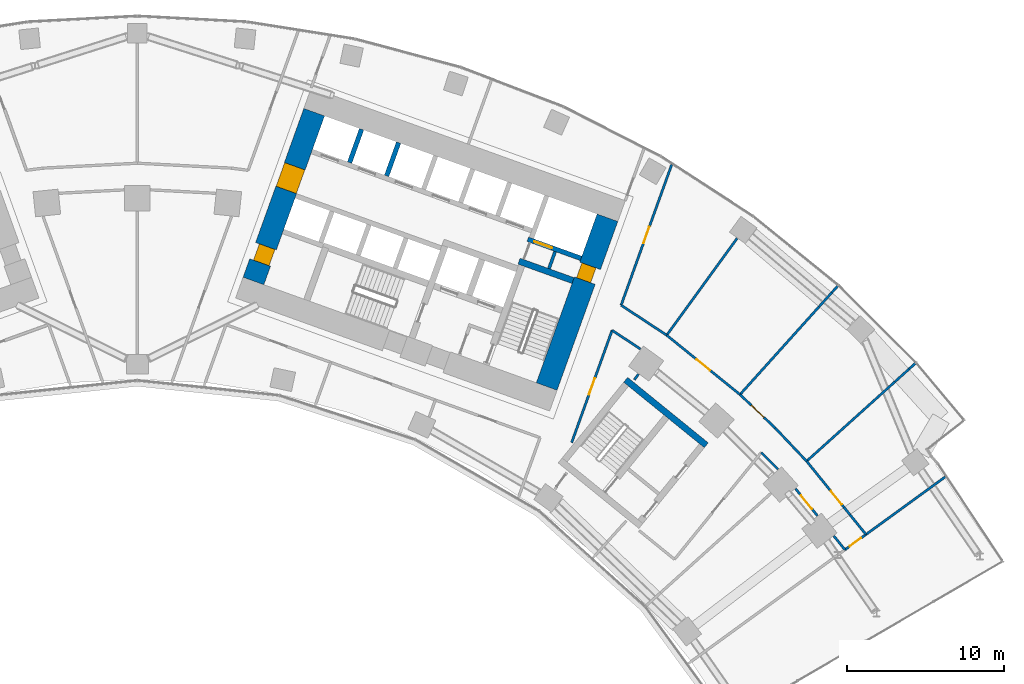
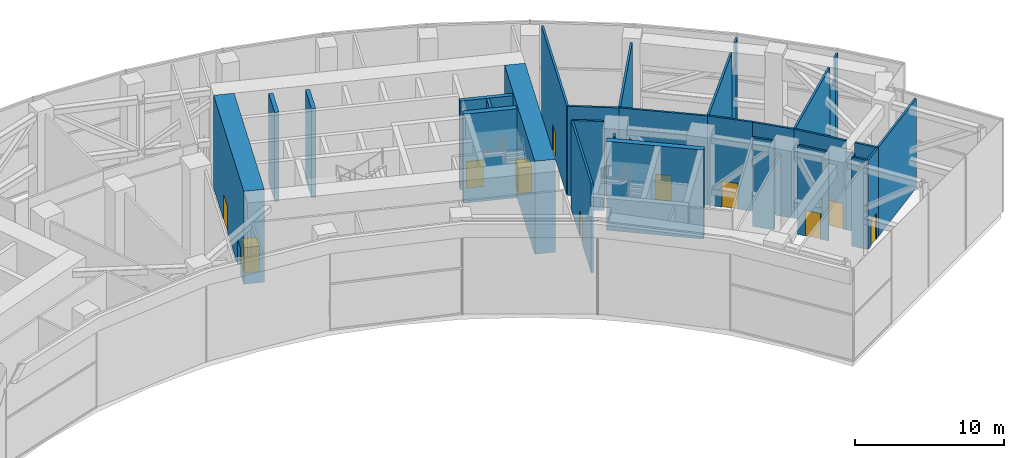
# One storey, part 28 of 33: 31 walls, 11 doors, 11 openings.
"""IFC4 building model written with IfcOpenShell, lengths in metres."""

from ifc_helpers import new_model, si_unit, direction, frame, frame_2d, origin, place, context, subcontext, project, spatial, rectangle, extrude, material, layer, layer_set, type_object, element, fill, save


model = new_model("IFC4")

# Units and contexts
model_context = context("Model", 3, precision=1e-05, world=origin(), true_north=direction((0.0, 1.0)))
body_context = subcontext(model_context, "Body", "Model", "MODEL_VIEW")
ifc_project = project(units=[si_unit("LENGTHUNIT", "METRE"), si_unit("AREAUNIT", "SQUARE_METRE"), si_unit("VOLUMEUNIT", "CUBIC_METRE"), si_unit("PLANEANGLEUNIT", "RADIAN"), si_unit("MASSUNIT", "GRAM", prefix="KILO")], contexts=[model_context])

# Site, building, storey
site_placement = place(None, origin())
site = spatial("IfcSite", under=ifc_project, at=site_placement, CompositionType="ELEMENT")
building_placement = place(site_placement, origin())
building = spatial("IfcBuilding", under=site, at=building_placement, Name="Stone Belt Terrace Tower", CompositionType="ELEMENT")
storey_placement = place(building_placement, frame((0.0, 0.0, 79.39990234375)))
storey = spatial("IfcBuildingStorey", under=building, at=storey_placement, Name="L19", CompositionType="ELEMENT", Elevation=79.39990234375)

# Wall, openings, doors
ifc_material_1 = material(Name="Concrete B80", Category="concrete")
ifc_layer_1 = layer(ifc_material_1, 1.39990234375)
ifc_layer_set_1 = layer_set([ifc_layer_1], Name="Core wall 1400 B80")
wall_type_1 = type_object("IfcWallType", Name="Core wall 1400 B80", PredefinedType="SHEAR", material=ifc_layer_set_1)
wall_1_placement = place(storey_placement, frame((7.379150390625, 49.73974609375, 0.0), z_axis=(0.0, 0.0, 1.0), x_axis=(0.338625431531, 0.940921259788, 0.0)))
wall_1 = element("IfcWall", 1, at=wall_1_placement, inside=storey, type_object=wall_type_1, Name="Core B wall end_a L19", PredefinedType="SHEAR", context=body_context, shape_type="SweptSolid", body=[
    extrude(rectangle(XDim=11.400146484375, YDim=1.39990234375, at=frame_2d((5.7001953125, 0.0))), origin(), (0.0, 0.0, 1.0), 7.60009765625),
])
opening_1_placement = place(wall_1_placement, frame((6.14990234375, 0.0, 0.0)))
opening_1 = element("IfcOpeningElement", 2, at=opening_1_placement, cuts=wall_1, Name="Opening L19-C12", PredefinedType="OPENING", context=body_context, shape_type="SweptSolid", body=[
    extrude(rectangle(XDim=1.60009765625, YDim=2.10009765625, at=frame_2d((0.800048828125, 1.050048828125))), frame((0.0, 0.7099609375, 0.0), z_axis=(0.0, -1.0, 0.0), x_axis=(1.0, 0.0, 0.0)), (0.0, 0.0, 1.0), 1.419921875),
])
opening_2_placement = place(wall_1_placement, frame((1.25, 0.0, 0.0)))
opening_2 = element("IfcOpeningElement", 3, at=opening_2_placement, cuts=wall_1, Name="Opening L19-C18", PredefinedType="OPENING", context=body_context, shape_type="SweptSolid", body=[
    extrude(rectangle(XDim=1.10009765625, YDim=2.10009765625, at=frame_2d((0.550048828125, 1.050048828125))), frame((0.0, 0.7099609375, 0.0), z_axis=(0.0, -1.0, 0.0), x_axis=(1.0, 0.0, 0.0)), (0.0, 0.0, 1.0), 1.419921875),
])
ifc_material_2 = material(Name="Timber door leaf", Category="wood")
door_type_1 = type_object("IfcDoorType", Name="Core room door 1100", OperationType="SINGLE_SWING_LEFT", PredefinedType="DOOR", material=ifc_material_2)
door_1_placement = place(opening_2_placement, origin())
door_1 = element("IfcDoor", 4, at=door_1_placement, inside=storey, type_object=door_type_1, Name="Door to Mechanical plant room core B", OperationType="SINGLE_SWING_RIGHT", OverallHeight=2.10009765625, OverallWidth=1.10009765625, PredefinedType="DOOR", context=body_context, shape_type="SweptSolid", body=[
    extrude(rectangle(XDim=1.10009765625, YDim=2.10009765625, at=frame_2d((0.550048828125, 1.050048828125))), frame((0.0, 0.44482421875, 0.0), z_axis=(0.0, -1.0, 0.0), x_axis=(1.0, 0.0, 0.0)), (0.0, 0.0, 1.0), 1.050048828125),
])
fill(opening_2, door_1)
ifc_material_3 = material(Name="Glazed aluminium door leaf", Category="aluminium")
door_type_2 = type_object("IfcDoorType", Name="Lift lobby entrance door 1600", OperationType="DOUBLE_DOOR_SINGLE_SWING", PredefinedType="DOOR", material=ifc_material_3)
door_2_placement = place(opening_1_placement, origin())
door_2 = element("IfcDoor", 5, at=door_2_placement, inside=storey, type_object=door_type_2, Name="Lift lobby entrance door core B", OperationType="DOUBLE_DOOR_SINGLE_SWING", OverallHeight=2.10009765625, OverallWidth=1.60009765625, PredefinedType="DOOR", context=body_context, shape_type="SweptSolid", body=[
    extrude(rectangle(XDim=1.60009765625, YDim=2.10009765625, at=frame_2d((0.800048828125, 1.050048828125))), frame((0.0, 0.68017578125, 0.0), z_axis=(0.0, -1.0, 0.0), x_axis=(1.0, 0.0, 0.0)), (0.0, 0.0, 1.0), 1.360107421875),
])
fill(opening_1, door_2)

# Wall, opening, door
wall_2_placement = place(storey_placement, frame((26.00927734375, 43.03515625, 0.0), z_axis=(0.0, 0.0, 1.0), x_axis=(0.338625431531, 0.940921259788, 0.0)))
wall_2 = element("IfcWall", 6, at=wall_2_placement, inside=storey, type_object=wall_type_1, Name="Core B wall end_b L19", PredefinedType="SHEAR", context=body_context, shape_type="SweptSolid", body=[
    extrude(rectangle(XDim=11.400146484375, YDim=1.39990234375, at=frame_2d((5.7001953125, 0.0))), origin(), (0.0, 0.0, 1.0), 7.60009765625),
])
opening_3_placement = place(wall_2_placement, frame((7.14990234375, 0.0, 0.0)))
opening_3 = element("IfcOpeningElement", 7, at=opening_3_placement, cuts=wall_2, Name="Opening L19-C10", PredefinedType="OPENING", context=body_context, shape_type="SweptSolid", body=[
    extrude(rectangle(XDim=1.0, YDim=2.10009765625, at=frame_2d((0.5, 1.050048828125))), frame((0.0, 0.7099609375, 0.0), z_axis=(0.0, -1.0, 0.0), x_axis=(1.0, 0.0, 0.0)), (0.0, 0.0, 1.0), 1.419921875),
])
door_type_3 = type_object("IfcDoorType", Name="Core room door 1000", OperationType="SINGLE_SWING_LEFT", PredefinedType="DOOR", material=ifc_material_2)
door_3_placement = place(opening_3_placement, origin())
door_3 = element("IfcDoor", 8, at=door_3_placement, inside=storey, type_object=door_type_3, Name="Door to Plant riser room core B", OperationType="SINGLE_SWING_LEFT", OverallHeight=2.10009765625, OverallWidth=1.0, PredefinedType="DOOR", context=body_context, shape_type="SweptSolid", body=[
    extrude(rectangle(XDim=1.0, YDim=2.10009765625, at=frame_2d((0.5, 1.050048828125))), frame((0.0, 0.55517578125, 0.0), z_axis=(0.0, -1.0, 0.0), x_axis=(1.0, 0.0, 0.0)), (0.0, 0.0, 1.0), 0.949951171875),
])
fill(opening_3, door_3)

ifc_layer_2 = layer(ifc_material_1, 0.300048828125)
ifc_layer_set_2 = layer_set([ifc_layer_2], Name="Lift shaft wall 300")
wall_type_2 = type_object("IfcWallType", Name="Lift shaft wall 300", PredefinedType="SHEAR", material=ifc_layer_set_2)
wall_3_placement = place(storey_placement, frame((28.195068359375, 51.17578125, 0.0), z_axis=(0.0, 0.0, 1.0), x_axis=(-0.940901243567, 0.338681044427, 0.0)))
wall_3 = element("IfcWall", 9, at=wall_3_placement, inside=storey, type_object=wall_type_2, Name="Core B wall", PredefinedType="SHEAR", context=body_context, shape_type="SweptSolid", body=[
    extrude(rectangle(XDim=3.599853515625, YDim=0.300048828125, at=frame_2d((1.7998046875, 0.0))), origin(), (0.0, 0.0, 1.0), 7.280029296875),
])
opening_4_placement = place(wall_3_placement, frame((1.969970703125, 0.0, 0.0)))
opening_4 = element("IfcOpeningElement", 10, at=opening_4_placement, cuts=wall_3, Name="Opening L19-LD18", PredefinedType="OPENING", context=body_context, shape_type="SweptSolid", body=[
    extrude(rectangle(XDim=1.199951171875, YDim=2.199951171875, at=frame_2d((0.60009765625, 1.10009765625))), frame((0.0, 0.159912109375, 0.0), z_axis=(0.0, -1.0, 0.0), x_axis=(1.0, 0.0, 0.0)), (0.0, 0.0, 1.0), 0.320068359375),
])
ifc_material_4 = material(Name="Stainless steel door leaf", Category="steel")
door_type_4 = type_object("IfcDoorType", Name="Landing door 1200", OperationType="SLIDING_TO_LEFT", PredefinedType="DOOR", material=ifc_material_4)
door_4_placement = place(opening_4_placement, origin())
door_4 = element("IfcDoor", 11, at=door_4_placement, inside=storey, type_object=door_type_4, Name="Landing door SV1 core B", OperationType="SLIDING_TO_LEFT", OverallHeight=2.199951171875, OverallWidth=1.199951171875, PredefinedType="DOOR", context=body_context, shape_type="SweptSolid", body=[
    extrude(rectangle(XDim=1.199951171875, YDim=2.199951171875, at=frame_2d((0.60009765625, 1.10009765625))), frame((0.0, 0.02490234375, 0.0), z_axis=(0.0, -1.0, 0.0), x_axis=(1.0, 0.0, 0.0)), (0.0, 0.0, 1.0), 0.050048828125),
])
fill(opening_4, door_4)

# Walls
wall_4_placement = place(storey_placement, frame((15.8408203125, 56.419189453125, 0.0), z_axis=(0.0, 0.0, 1.0), x_axis=(0.338569601369, 0.940941350472, 0.0)))
element("IfcWall", 12, at=wall_4_placement, inside=storey, type_object=wall_type_2, Name="Core B wall", PredefinedType="SHEAR", context=body_context, shape_type="SweptSolid", body=[
    extrude(rectangle(XDim=2.249755859375, YDim=0.300048828125, at=frame_2d((1.125, 0.0))), origin(), (0.0, 0.0, 1.0), 7.280029296875),
])
wall_5_placement = place(storey_placement, frame((13.48828125, 57.265625, 0.0), z_axis=(0.0, 0.0, 1.0), x_axis=(0.338631098537, 0.940919220286, 0.0)))
element("IfcWall", 13, at=wall_5_placement, inside=storey, type_object=wall_type_2, Name="Core B wall", PredefinedType="SHEAR", context=body_context, shape_type="SweptSolid", body=[
    extrude(rectangle(XDim=2.250244140625, YDim=0.300048828125, at=frame_2d((1.125, 0.0))), origin(), (0.0, 0.0, 1.0), 7.280029296875),
])

# Wall, opening, door
ifc_material_5 = material(Name="Gypsum board partition")
ifc_layer_3 = layer(ifc_material_5, 0.14990234375)
ifc_layer_set_3 = layer_set([ifc_layer_3], Name="PARTITION 150 EI 60")
wall_type_3 = type_object("IfcWallType", Name="PARTITION 150 EI 60", PredefinedType="PARTITIONING", material=ifc_layer_set_3)
wall_6_placement = place(storey_placement, frame((30.1669921875, 46.612060546875, 0.0), z_axis=(0.0, 0.0, 1.0), x_axis=(-0.338694393991, -0.940896438233, 0.0)))
wall_6 = element("IfcWall", 14, at=wall_6_placement, inside=storey, type_object=wall_type_3, Name="L19/wall/i022", PredefinedType="PARTITIONING", context=body_context, shape_type="SweptSolid", body=[
    extrude(rectangle(XDim=7.585205078125, YDim=0.14990234375, at=frame_2d((3.79248046875, 0.0))), origin(), (0.0, 0.0, 1.0), 7.280029296875),
])
opening_5_placement = place(wall_6_placement, frame((3.24267578125, 0.0, 0.0)))
opening_5 = element("IfcOpeningElement", 15, at=opening_5_placement, cuts=wall_6, Name="Opening D-T1-21", PredefinedType="OPENING", context=body_context, shape_type="SweptSolid", body=[
    extrude(rectangle(XDim=1.10009765625, YDim=2.10009765625, at=frame_2d((0.550048828125, 1.050048828125))), frame((0.0, 0.0849609375, 0.0), z_axis=(0.0, -1.0, 0.0), x_axis=(1.0, 0.0, 0.0)), (0.0, 0.0, 1.0), 0.169921875),
])
ifc_material_6 = material(Name="Steel fire door set", Category="steel")
door_type_5 = type_object("IfcDoorType", Name="SERVICE ROOM DOOR 1100 X 2100", OperationType="NOTDEFINED", PredefinedType="DOOR", material=ifc_material_6)
door_5_placement = place(opening_5_placement, origin())
door_5 = element("IfcDoor", 16, at=door_5_placement, inside=storey, type_object=door_type_5, Name="L19/door/i21", OperationType="SINGLE_SWING_RIGHT", OverallHeight=2.10009765625, OverallWidth=1.10009765625, PredefinedType="DOOR", context=body_context, shape_type="SweptSolid", body=[
    extrude(rectangle(XDim=1.10009765625, YDim=2.10009765625, at=frame_2d((0.550048828125, 1.050048828125))), frame((0.0, 0.02490234375, 0.0), z_axis=(0.0, -1.0, 0.0), x_axis=(1.0, 0.0, 0.0)), (0.0, 0.0, 1.0), 0.050048828125),
])
fill(opening_5, door_5)

wall_7_placement = place(storey_placement, frame((33.951904296875, 57.131103515625, 0.0), z_axis=(0.0, 0.0, 1.0), x_axis=(-0.338586530295, -0.940935258933, 0.0)))
wall_7 = element("IfcWall", 17, at=wall_7_placement, inside=storey, type_object=wall_type_3, Name="L19/wall/i024", PredefinedType="PARTITIONING", context=body_context, shape_type="SweptSolid", body=[
    extrude(rectangle(XDim=9.494873046875, YDim=0.14990234375, at=frame_2d((4.74755859375, 0.0))), origin(), (0.0, 0.0, 1.0), 7.280029296875),
])
opening_6_placement = place(wall_7_placement, frame((4.197509765625, 0.0, 0.0)))
opening_6 = element("IfcOpeningElement", 18, at=opening_6_placement, cuts=wall_7, Name="Opening D-T1-25", PredefinedType="OPENING", context=body_context, shape_type="SweptSolid", body=[
    extrude(rectangle(XDim=1.10009765625, YDim=2.10009765625, at=frame_2d((0.550048828125, 1.050048828125))), frame((0.0, 0.0849609375, 0.0), z_axis=(0.0, -1.0, 0.0), x_axis=(1.0, 0.0, 0.0)), (0.0, 0.0, 1.0), 0.169921875),
])
door_6_placement = place(opening_6_placement, origin())
door_6 = element("IfcDoor", 19, at=door_6_placement, inside=storey, type_object=door_type_5, Name="L19/door/i25", OperationType="SINGLE_SWING_LEFT", OverallHeight=2.10009765625, OverallWidth=1.10009765625, PredefinedType="DOOR", context=body_context, shape_type="SweptSolid", body=[
    extrude(rectangle(XDim=1.10009765625, YDim=2.10009765625, at=frame_2d((0.550048828125, 1.050048828125))), frame((0.0, 0.02490234375, 0.0), z_axis=(0.0, -1.0, 0.0), x_axis=(1.0, 0.0, 0.0)), (0.0, 0.0, 1.0), 0.050048828125),
])
fill(opening_6, door_6)

wall_8_placement = place(storey_placement, frame((46.301025390625, 33.638916015625, 0.0), z_axis=(0.0, 0.0, 1.0), x_axis=(-0.809402677134, -0.587254038937, 0.0)))
wall_8 = element("IfcWall", 20, at=wall_8_placement, inside=storey, type_object=wall_type_3, Name="L19/wall/i055", PredefinedType="PARTITIONING", context=body_context, shape_type="SweptSolid", body=[
    extrude(rectangle(XDim=1.66162109375, YDim=0.14990234375, at=frame_2d((0.830810546875, 0.0))), origin(), (0.0, 0.0, 1.0), 7.280029296875),
])
opening_7_placement = place(wall_8_placement, frame((0.380859375, 0.0, 0.0)))
opening_7 = element("IfcOpeningElement", 21, at=opening_7_placement, cuts=wall_8, Name="Opening D-T1-20", PredefinedType="OPENING", context=body_context, shape_type="SweptSolid", body=[
    extrude(rectangle(XDim=0.89990234375, YDim=2.10009765625, at=frame_2d((0.449951171875, 1.050048828125))), frame((0.0, 0.0849609375, 0.0), z_axis=(0.0, -1.0, 0.0), x_axis=(1.0, 0.0, 0.0)), (0.0, 0.0, 1.0), 0.169921875),
])
door_type_6 = type_object("IfcDoorType", Name="SERVICE ROOM DOOR 900 X 2100", OperationType="NOTDEFINED", PredefinedType="DOOR", material=ifc_material_6)
door_7_placement = place(opening_7_placement, origin())
door_7 = element("IfcDoor", 22, at=door_7_placement, inside=storey, type_object=door_type_6, Name="L19/door/i20", OperationType="SINGLE_SWING_RIGHT", OverallHeight=2.10009765625, OverallWidth=0.89990234375, PredefinedType="DOOR", context=body_context, shape_type="SweptSolid", body=[
    extrude(rectangle(XDim=0.89990234375, YDim=2.10009765625, at=frame_2d((0.449951171875, 1.050048828125))), frame((0.0, 0.02490234375, 0.0), z_axis=(0.0, -1.0, 0.0), x_axis=(1.0, 0.0, 0.0)), (0.0, 0.0, 1.0), 0.050048828125),
])
fill(opening_7, door_7)

# Walls
wall_9_placement = place(storey_placement, frame((46.291015625, 33.632080078125, 0.0), z_axis=(0.0, 0.0, 1.0), x_axis=(0.808990100613, 0.587822266599, 0.0)))
element("IfcWall", 23, at=wall_9_placement, inside=storey, type_object=wall_type_3, Name="L19/wall/i057", PredefinedType="PARTITIONING", context=body_context, shape_type="SweptSolid", body=[
    extrude(rectangle(XDim=6.232421875, YDim=0.14990234375, at=frame_2d((3.1162109375, 0.0))), origin(), (0.0, 0.0, 1.0), 7.280029296875),
])
wall_10_placement = place(storey_placement, frame((31.580078125, 43.466064453125, 0.0), z_axis=(0.0, 0.0, 1.0), x_axis=(0.587581605803, 0.809164913057, 0.0)))
element("IfcWall", 24, at=wall_10_placement, inside=storey, type_object=wall_type_3, Name="L19/wall/i058", PredefinedType="PARTITIONING", context=body_context, shape_type="SweptSolid", body=[
    extrude(rectangle(XDim=0.44287109375, YDim=0.14990234375, at=frame_2d((0.221435546875, 0.0))), origin(), (0.0, 0.0, 1.0), 7.280029296875),
])
wall_11_placement = place(storey_placement, frame((31.9716796875, 45.41748046875, 0.0), z_axis=(0.0, 0.0, 1.0), x_axis=(-0.835438908004, 0.549583324887, 0.0)))
element("IfcWall", 25, at=wall_11_placement, inside=storey, type_object=wall_type_3, Name="L19/wall/i059", PredefinedType="PARTITIONING", context=body_context, shape_type="SweptSolid", body=[
    extrude(rectangle(XDim=2.16259765625, YDim=0.14990234375, at=frame_2d((1.081298828125, 0.0))), origin(), (0.0, 0.0, 1.0), 7.280029296875),
])
wall_12_placement = place(storey_placement, frame((30.739013671875, 48.202880859375, 0.0), z_axis=(0.0, 0.0, 1.0), x_axis=(0.835274160171, -0.549833681535, 0.0)))
element("IfcWall", 26, at=wall_12_placement, inside=storey, type_object=wall_type_3, Name="L19/wall/i060", PredefinedType="PARTITIONING", context=body_context, shape_type="SweptSolid", body=[
    extrude(rectangle(XDim=3.46826171875, YDim=0.14990234375, at=frame_2d((1.734130859375, 0.0))), origin(), (0.0, 0.0, 1.0), 7.280029296875),
])

# Wall, opening, door
wall_13_placement = place(storey_placement, frame((33.635986328125, 46.2958984375, 0.0), z_axis=(0.0, 0.0, 1.0), x_axis=(0.77714422733, -0.629322532513, 0.0)))
wall_13 = element("IfcWall", 27, at=wall_13_placement, inside=storey, type_object=wall_type_3, Name="L19/wall/i061", PredefinedType="PARTITIONING", context=body_context, shape_type="SweptSolid", body=[
    extrude(rectangle(XDim=5.98876953125, YDim=0.14990234375, at=frame_2d((2.994384765625, 0.0))), origin(), (0.0, 0.0, 1.0), 7.280029296875),
])
opening_8_placement = place(wall_13_placement, frame((2.4443359375, 0.0, 0.0)))
opening_8 = element("IfcOpeningElement", 28, at=opening_8_placement, cuts=wall_13, Name="Opening D-T1-26", PredefinedType="OPENING", context=body_context, shape_type="SweptSolid", body=[
    extrude(rectangle(XDim=1.10009765625, YDim=2.10009765625, at=frame_2d((0.550048828125, 1.050048828125))), frame((0.0, 0.0849609375, 0.0), z_axis=(0.0, -1.0, 0.0), x_axis=(1.0, 0.0, 0.0)), (0.0, 0.0, 1.0), 0.169921875),
])
door_8_placement = place(opening_8_placement, origin())
door_8 = element("IfcDoor", 29, at=door_8_placement, inside=storey, type_object=door_type_5, Name="L19/door/i26", OperationType="SINGLE_SWING_LEFT", OverallHeight=2.10009765625, OverallWidth=1.10009765625, PredefinedType="DOOR", context=body_context, shape_type="SweptSolid", body=[
    extrude(rectangle(XDim=1.10009765625, YDim=2.10009765625, at=frame_2d((0.550048828125, 1.050048828125))), frame((0.0, 0.02490234375, 0.0), z_axis=(0.0, -1.0, 0.0), x_axis=(1.0, 0.0, 0.0)), (0.0, 0.0, 1.0), 0.050048828125),
])
fill(opening_8, door_8)

wall_14_placement = place(storey_placement, frame((38.291015625, 42.52587890625, 0.0), z_axis=(0.0, 0.0, 1.0), x_axis=(0.724835843729, -0.688921620829, 0.0)))
wall_14 = element("IfcWall", 30, at=wall_14_placement, inside=storey, type_object=wall_type_3, Name="L19/wall/i062", PredefinedType="PARTITIONING", context=body_context, shape_type="SweptSolid", body=[
    extrude(rectangle(XDim=3.093017578125, YDim=0.14990234375, at=frame_2d((1.54638671875, 0.0))), origin(), (0.0, 0.0, 1.0), 7.280029296875),
])
opening_9_placement = place(wall_14_placement, frame((0.99658203125, 0.0, 0.0)))
opening_9 = element("IfcOpeningElement", 31, at=opening_9_placement, cuts=wall_14, Name="Opening D-T1-27", PredefinedType="OPENING", context=body_context, shape_type="SweptSolid", body=[
    extrude(rectangle(XDim=1.10009765625, YDim=2.10009765625, at=frame_2d((0.550048828125, 1.050048828125))), frame((0.0, 0.0849609375, 0.0), z_axis=(0.0, -1.0, 0.0), x_axis=(1.0, 0.0, 0.0)), (0.0, 0.0, 1.0), 0.169921875),
])
door_9_placement = place(opening_9_placement, origin())
door_9 = element("IfcDoor", 32, at=door_9_placement, inside=storey, type_object=door_type_5, Name="L19/door/i27", OperationType="SINGLE_SWING_RIGHT", OverallHeight=2.10009765625, OverallWidth=1.10009765625, PredefinedType="DOOR", context=body_context, shape_type="SweptSolid", body=[
    extrude(rectangle(XDim=1.10009765625, YDim=2.10009765625, at=frame_2d((0.550048828125, 1.050048828125))), frame((0.0, 0.02490234375, 0.0), z_axis=(0.0, -1.0, 0.0), x_axis=(1.0, 0.0, 0.0)), (0.0, 0.0, 1.0), 0.050048828125),
])
fill(opening_9, door_9)

# Walls
wall_15_placement = place(storey_placement, frame((40.71240234375, 37.7744140625, 0.0), z_axis=(0.0, 0.0, 1.0), x_axis=(-0.707026065842, 0.707187487318, 0.0)))
element("IfcWall", 33, at=wall_15_placement, inside=storey, type_object=wall_type_3, Name="L19/wall/i063", PredefinedType="PARTITIONING", context=body_context, shape_type="SweptSolid", body=[
    extrude(rectangle(XDim=1.512451171875, YDim=0.14990234375, at=frame_2d((0.75634765625, 0.0))), origin(), (0.0, 0.0, 1.0), 7.280029296875),
])
wall_16_placement = place(storey_placement, frame((44.9599609375, 32.6669921875, 0.0), z_axis=(0.0, 0.0, 1.0), x_axis=(-0.629204500444, 0.777239793514, 0.0)))
element("IfcWall", 34, at=wall_16_placement, inside=storey, type_object=wall_type_3, Name="L19/wall/i064", PredefinedType="PARTITIONING", context=body_context, shape_type="SweptSolid", body=[
    extrude(rectangle(XDim=1.119873046875, YDim=0.14990234375, at=frame_2d((0.56005859375, 0.0))), origin(), (0.0, 0.0, 1.0), 7.280029296875),
])

# Wall, opening, door
wall_17_placement = place(storey_placement, frame((43.210693359375, 34.827880859375, 0.0), z_axis=(0.0, 0.0, 1.0), x_axis=(-0.629182298449, 0.777257766329, 0.0)))
wall_17 = element("IfcWall", 35, at=wall_17_placement, inside=storey, type_object=wall_type_3, Name="L19/wall/i065", PredefinedType="PARTITIONING", context=body_context, shape_type="SweptSolid", body=[
    extrude(rectangle(XDim=2.204345703125, YDim=0.14990234375, at=frame_2d((1.10205078125, 0.0))), origin(), (0.0, 0.0, 1.0), 7.280029296875),
])
opening_10_placement = place(wall_17_placement, frame((0.55224609375, 0.0, 0.0)))
opening_10 = element("IfcOpeningElement", 36, at=opening_10_placement, cuts=wall_17, Name="Opening D-T1-24", PredefinedType="OPENING", context=body_context, shape_type="SweptSolid", body=[
    extrude(rectangle(XDim=1.10009765625, YDim=2.10009765625, at=frame_2d((0.550048828125, 1.050048828125))), frame((0.0, 0.0849609375, 0.0), z_axis=(0.0, -1.0, 0.0), x_axis=(1.0, 0.0, 0.0)), (0.0, 0.0, 1.0), 0.169921875),
])
door_10_placement = place(opening_10_placement, origin())
door_10 = element("IfcDoor", 37, at=door_10_placement, inside=storey, type_object=door_type_5, Name="L19/door/i24", OperationType="SINGLE_SWING_RIGHT", OverallHeight=2.10009765625, OverallWidth=1.10009765625, PredefinedType="DOOR", context=body_context, shape_type="SweptSolid", body=[
    extrude(rectangle(XDim=1.10009765625, YDim=2.10009765625, at=frame_2d((0.550048828125, 1.050048828125))), frame((0.0, 0.02490234375, 0.0), z_axis=(0.0, -1.0, 0.0), x_axis=(1.0, 0.0, 0.0)), (0.0, 0.0, 1.0), 0.050048828125),
])
fill(opening_10, door_10)

# Wall
wall_18_placement = place(storey_placement, frame((40.532958984375, 40.39501953125, 0.0), z_axis=(0.0, 0.0, 1.0), x_axis=(0.687681554755, -0.726012451167, 0.0)))
element("IfcWall", 38, at=wall_18_placement, inside=storey, type_object=wall_type_3, Name="L19/wall/i066", PredefinedType="PARTITIONING", context=body_context, shape_type="SweptSolid", body=[
    extrude(rectangle(XDim=2.89794921875, YDim=0.14990234375, at=frame_2d((1.448974609375, 0.0))), origin(), (0.0, 0.0, 1.0), 7.280029296875),
])

# Wall, opening, door
wall_19_placement = place(storey_placement, frame((42.527099609375, 38.2900390625, 0.0), z_axis=(0.0, 0.0, 1.0), x_axis=(0.629330569848, -0.777137718718, 0.0)))
wall_19 = element("IfcWall", 39, at=wall_19_placement, inside=storey, type_object=wall_type_3, Name="L19/wall/i067-1", PredefinedType="PARTITIONING", context=body_context, shape_type="SweptSolid", body=[
    extrude(rectangle(XDim=3.767578125, YDim=0.14990234375, at=frame_2d((1.8837890625, 0.0))), origin(), (0.0, 0.0, 1.0), 7.280029296875),
])
opening_11_placement = place(wall_19_placement, frame((2.4443359375, 0.0, 0.0)))
opening_11 = element("IfcOpeningElement", 40, at=opening_11_placement, cuts=wall_19, Name="Opening D-T1-28", PredefinedType="OPENING", context=body_context, shape_type="SweptSolid", body=[
    extrude(rectangle(XDim=1.10009765625, YDim=2.10009765625, at=frame_2d((0.550048828125, 1.050048828125))), frame((0.0, 0.0849609375, 0.0), z_axis=(0.0, -1.0, 0.0), x_axis=(1.0, 0.0, 0.0)), (0.0, 0.0, 1.0), 0.169921875),
])
door_11_placement = place(opening_11_placement, origin())
door_11 = element("IfcDoor", 41, at=door_11_placement, inside=storey, type_object=door_type_5, Name="L19/door/i28", OperationType="SINGLE_SWING_LEFT", OverallHeight=2.10009765625, OverallWidth=1.10009765625, PredefinedType="DOOR", context=body_context, shape_type="SweptSolid", body=[
    extrude(rectangle(XDim=1.10009765625, YDim=2.10009765625, at=frame_2d((0.550048828125, 1.050048828125))), frame((0.0, 0.02490234375, 0.0), z_axis=(0.0, -1.0, 0.0), x_axis=(1.0, 0.0, 0.0)), (0.0, 0.0, 1.0), 0.050048828125),
])
fill(opening_11, door_11)

# Walls
wall_20_placement = place(storey_placement, frame((44.898193359375, 35.362060546875, 0.0), z_axis=(0.0, 0.0, 1.0), x_axis=(0.629416909266, -0.777067792622, 0.0)))
element("IfcWall", 42, at=wall_20_placement, inside=storey, type_object=wall_type_3, Name="L19/wall/i067-2", PredefinedType="PARTITIONING", context=body_context, shape_type="SweptSolid", body=[
    extrude(rectangle(XDim=0.610107421875, YDim=0.14990234375, at=frame_2d((0.30517578125, 0.0))), origin(), (0.0, 0.0, 1.0), 6.380126953125),
])
wall_21_placement = place(storey_placement, frame((45.2822265625, 34.887939453125, 0.0), z_axis=(0.0, 0.0, 1.0), x_axis=(0.629267984244, -0.777188396726, 0.0)))
element("IfcWall", 43, at=wall_21_placement, inside=storey, type_object=wall_type_3, Name="L19/wall/i067-3", PredefinedType="PARTITIONING", context=body_context, shape_type="SweptSolid", body=[
    extrude(rectangle(XDim=1.61083984375, YDim=0.14990234375, at=frame_2d((0.805419921875, 0.0))), origin(), (0.0, 0.0, 1.0), 7.280029296875),
])
wall_22_placement = place(storey_placement, frame((38.1083984375, 52.45166015625, 0.0), z_axis=(0.0, 0.0, 1.0), x_axis=(-0.587784342943, -0.809017655055, 0.0)))
element("IfcWall", 44, at=wall_22_placement, inside=storey, type_object=wall_type_3, Name="L19/wall/i072", PredefinedType="PARTITIONING", context=body_context, shape_type="SweptSolid", body=[
    extrude(rectangle(XDim=7.60888671875, YDim=0.14990234375, at=frame_2d((3.804443359375, 0.0))), origin(), (0.0, 0.0, 1.0), 7.280029296875),
])
wall_23_placement = place(storey_placement, frame((44.496826171875, 49.41943359375, 0.0), z_axis=(0.0, 0.0, 1.0), x_axis=(-0.669012701712, -0.743250970364, 0.0)))
element("IfcWall", 45, at=wall_23_placement, inside=storey, type_object=wall_type_3, Name="L19/wall/i073-1", PredefinedType="PARTITIONING", context=body_context, shape_type="SweptSolid", body=[
    extrude(rectangle(XDim=0.562255859375, YDim=0.14990234375, at=frame_2d((0.28125, 0.0))), origin(), (0.0, 0.0, 1.0), 7.280029296875),
])
wall_24_placement = place(storey_placement, frame((44.12060546875, 49.00146484375, 0.0), z_axis=(0.0, 0.0, 1.0), x_axis=(-0.668953538706, -0.743304219719, 0.0)))
element("IfcWall", 46, at=wall_24_placement, inside=storey, type_object=wall_type_3, Name="L19/wall/i073-2", PredefinedType="PARTITIONING", context=body_context, shape_type="SweptSolid", body=[
    extrude(rectangle(XDim=1.205078125, YDim=0.14990234375, at=frame_2d((0.6025390625, 0.0))), origin(), (0.0, 0.0, 1.0), 5.47998046875),
])
wall_25_placement = place(storey_placement, frame((43.314453125, 48.105712890625, 0.0), z_axis=(0.0, 0.0, 1.0), x_axis=(-0.669081499167, -0.743189038854, 0.0)))
element("IfcWall", 47, at=wall_25_placement, inside=storey, type_object=wall_type_3, Name="L19/wall/i073-3", PredefinedType="PARTITIONING", context=body_context, shape_type="SweptSolid", body=[
    extrude(rectangle(XDim=7.508056640625, YDim=0.14990234375, at=frame_2d((3.75390625, 0.0))), origin(), (0.0, 0.0, 1.0), 7.280029296875),
])
wall_26_placement = place(storey_placement, frame((49.41943359375, 44.496826171875, 0.0), z_axis=(0.0, 0.0, 1.0), x_axis=(-0.743340695697, -0.668913006392, 0.0)))
element("IfcWall", 48, at=wall_26_placement, inside=storey, type_object=wall_type_3, Name="L19/wall/i074-1", PredefinedType="PARTITIONING", context=body_context, shape_type="SweptSolid", body=[
    extrude(rectangle(XDim=0.521484375, YDim=0.14990234375, at=frame_2d((0.2607421875, 0.0))), origin(), (0.0, 0.0, 1.0), 7.280029296875),
])
wall_27_placement = place(storey_placement, frame((49.03173828125, 44.14794921875, 0.0), z_axis=(0.0, 0.0, 1.0), x_axis=(-0.743152549766, -0.669122027567, 0.0)))
element("IfcWall", 49, at=wall_27_placement, inside=storey, type_object=wall_type_3, Name="L19/wall/i074-2", PredefinedType="PARTITIONING", context=body_context, shape_type="SweptSolid", body=[
    extrude(rectangle(XDim=1.200439453125, YDim=0.14990234375, at=frame_2d((0.60009765625, 0.0))), origin(), (0.0, 0.0, 1.0), 5.47998046875),
])
wall_28_placement = place(storey_placement, frame((48.1396484375, 43.3447265625, 0.0), z_axis=(0.0, 0.0, 1.0), x_axis=(-0.743207353294, -0.669061155657, 0.0)))
element("IfcWall", 50, at=wall_28_placement, inside=storey, type_object=wall_type_3, Name="L19/wall/i074-3", PredefinedType="PARTITIONING", context=body_context, shape_type="SweptSolid", body=[
    extrude(rectangle(XDim=7.553466796875, YDim=0.14990234375, at=frame_2d((3.77685546875, 0.0))), origin(), (0.0, 0.0, 1.0), 7.280029296875),
])
ifc_material_7 = material(Name="Concrete masonry block", Category="masonry")
ifc_layer_4 = layer(ifc_material_7, 0.199951171875)
ifc_layer_set_4 = layer_set([ifc_layer_4], Name="Rated lobby wall 200")
wall_type_4 = type_object("IfcWallType", Name="Rated lobby wall 200", PredefinedType="PARTITIONING", material=ifc_layer_set_4)
wall_29_placement = place(storey_placement, frame((26.1552734375, 50.5283203125, 0.0), z_axis=(0.0, 0.0, 1.0), x_axis=(0.338621735342, 0.94092258999, 0.0)))
element("IfcWall", 51, at=wall_29_placement, inside=storey, type_object=wall_type_4, Name="Core B wall", PredefinedType="PARTITIONING", context=body_context, shape_type="SweptSolid", body=[
    extrude(rectangle(XDim=1.14990234375, YDim=0.199951171875, at=frame_2d((0.574951171875, 0.0))), origin(), (0.0, 0.0, 1.0), 7.280029296875),
])
ifc_layer_5 = layer(ifc_material_1, 0.39990234375)
ifc_layer_set_5 = layer_set([ifc_layer_5], Name="Stair enclosure wall 400")
wall_type_5 = type_object("IfcWallType", Name="Stair enclosure wall 400", PredefinedType="SHEAR", material=ifc_layer_set_5)
wall_30_placement = place(storey_placement, frame((27.687255859375, 49.764404296875, 0.0), z_axis=(0.0, 0.0, 1.0), x_axis=(-0.940918954884, 0.338631835981, 0.0)))
element("IfcWall", 52, at=wall_30_placement, inside=storey, type_object=wall_type_5, Name="Core B wall", PredefinedType="SHEAR", context=body_context, shape_type="SweptSolid", body=[
    extrude(rectangle(XDim=3.650146484375, YDim=0.39990234375, at=frame_2d((1.8251953125, 0.0))), origin(), (0.0, 0.0, 1.0), 7.280029296875),
])
wall_31_placement = place(storey_placement, frame((31.02783203125, 43.46337890625, 0.0), z_axis=(0.0, 0.0, 1.0), x_axis=(0.776413760801, -0.630223509589, 0.0)))
element("IfcWall", 53, at=wall_31_placement, inside=storey, type_object=wall_type_5, Name="Exit stair ST3B wall", PredefinedType="SHEAR", context=body_context, shape_type="SweptSolid", body=[
    extrude(rectangle(XDim=6.599853515625, YDim=0.39990234375, at=frame_2d((3.2998046875, 0.0))), origin(), (0.0, 0.0, 1.0), 7.280029296875),
])

save(model, "model.ifc")
